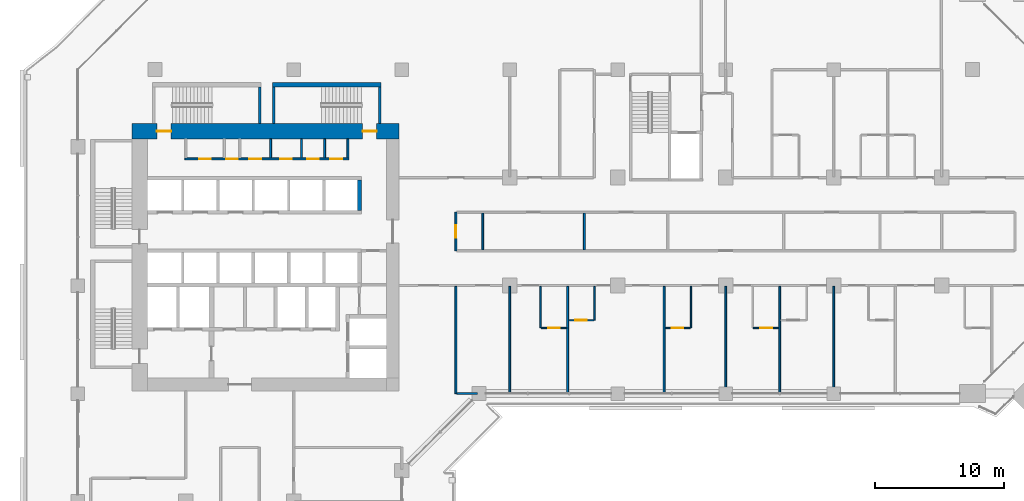
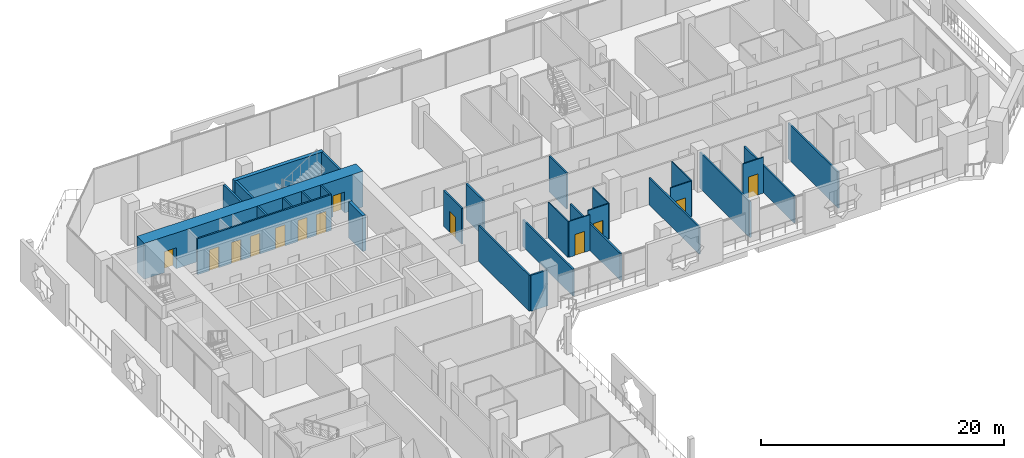
# One storey, part 16 of 25: 29 walls, 13 doors, 13 openings.
"""IFC4 building model written with IfcOpenShell, lengths in metres."""

from ifc_helpers import new_model, si_unit, direction, frame, frame_2d, origin, place, context, subcontext, project, spatial, rectangle, extrude, material, layer, layer_set, type_object, element, fill, save


model = new_model("IFC4")

# Units and contexts
model_context = context("Model", 3, precision=1e-05, world=origin(), true_north=direction((0.0, 1.0)))
body_context = subcontext(model_context, "Body", "Model", "MODEL_VIEW")
ifc_project = project(units=[si_unit("LENGTHUNIT", "METRE"), si_unit("AREAUNIT", "SQUARE_METRE"), si_unit("VOLUMEUNIT", "CUBIC_METRE"), si_unit("PLANEANGLEUNIT", "RADIAN"), si_unit("MASSUNIT", "GRAM", prefix="KILO")], contexts=[model_context])

# Site, building, storey
site_placement = place(None, origin())
site = spatial("IfcSite", under=ifc_project, at=site_placement, CompositionType="ELEMENT")
building_placement = place(site_placement, origin())
building = spatial("IfcBuilding", under=site, at=building_placement, Name="Kawkab Arch Medical Tower", CompositionType="ELEMENT")
storey_placement = place(building_placement, frame((0.0, 0.0, 111.39990234375)))
storey = spatial("IfcBuildingStorey", under=building, at=storey_placement, Name="L25", CompositionType="ELEMENT", Elevation=111.39990234375)

# Wall, openings, doors
ifc_material_1 = material(Name="Concrete C60/75", Category="concrete")
ifc_layer_1 = layer(ifc_material_1, 1.199951171875)
ifc_layer_set_1 = layer_set([ifc_layer_1], Name="Concrete C60/75")
wall_type_1 = type_object("IfcWallType", Name="Core ring wall 1200 C60/75", PredefinedType="SHEAR", material=ifc_layer_set_1)
wall_1_placement = place(storey_placement, frame((4.199951171875, -4.800048828125, 0.0), z_axis=(0.0, 0.0, 1.0), x_axis=(1.0, 0.0, 0.0)))
wall_1 = element("IfcWall", 1, at=wall_1_placement, inside=storey, type_object=wall_type_1, Name="L25 core wall", PredefinedType="SHEAR", context=body_context, shape_type="SweptSolid", body=[
    extrude(rectangle(XDim=20.800048828125, YDim=1.199951171875, at=frame_2d((10.39990234375, 0.0))), origin(), (0.0, 0.0, 1.0), 3.60009765625),
])
opening_1_placement = place(wall_1_placement, frame((1.949951171875, 0.0, 0.0)))
opening_1 = element("IfcOpeningElement", 2, at=opening_1_placement, cuts=wall_1, Name="Opening SD", PredefinedType="OPENING", context=body_context, shape_type="SweptSolid", body=[
    extrude(rectangle(XDim=1.10009765625, YDim=2.10009765625, at=frame_2d((0.550048828125, 1.050048828125))), frame((0.0, 0.60986328125, 0.0), z_axis=(0.0, -1.0, 0.0), x_axis=(1.0, 0.0, 0.0)), (0.0, 0.0, 1.0), 1.219970703125),
])
opening_2_placement = place(wall_1_placement, frame((17.949951171875, 0.0, 0.0)))
opening_2 = element("IfcOpeningElement", 3, at=opening_2_placement, cuts=wall_1, Name="Opening SD", PredefinedType="OPENING", context=body_context, shape_type="SweptSolid", body=[
    extrude(rectangle(XDim=1.10009765625, YDim=2.10009765625, at=frame_2d((0.550048828125, 1.050048828125))), frame((0.0, 0.60986328125, 0.0), z_axis=(0.0, -1.0, 0.0), x_axis=(1.0, 0.0, 0.0)), (0.0, 0.0, 1.0), 1.219970703125),
])
ifc_material_2 = material(Name="Hollow metal fire door leaf")
door_type_1 = type_object("IfcDoorType", Name="Exit stair door 1100", OperationType="SINGLE_SWING_LEFT", PredefinedType="DOOR", material=ifc_material_2)
door_1_placement = place(opening_1_placement, origin())
door_1 = element("IfcDoor", 4, at=door_1_placement, inside=storey, type_object=door_type_1, Name="L25 Exit stair ST3 door", OperationType="SINGLE_SWING_LEFT", OverallHeight=2.10009765625, OverallWidth=1.10009765625, PredefinedType="DOOR", context=body_context, shape_type="SweptSolid", body=[
    extrude(rectangle(XDim=1.10009765625, YDim=2.10009765625, at=frame_2d((0.550048828125, 1.050048828125))), frame((0.0, 0.02490234375, 0.0), z_axis=(0.0, -1.0, 0.0), x_axis=(1.0, 0.0, 0.0)), (0.0, 0.0, 1.0), 0.050048828125),
])
fill(opening_1, door_1)
door_2_placement = place(opening_2_placement, origin())
door_2 = element("IfcDoor", 5, at=door_2_placement, inside=storey, type_object=door_type_1, Name="L25 Exit stair ST4 door", OperationType="SINGLE_SWING_LEFT", OverallHeight=2.10009765625, OverallWidth=1.10009765625, PredefinedType="DOOR", context=body_context, shape_type="SweptSolid", body=[
    extrude(rectangle(XDim=1.10009765625, YDim=2.10009765625, at=frame_2d((0.550048828125, 1.050048828125))), frame((0.0, 0.02490234375, 0.0), z_axis=(0.0, -1.0, 0.0), x_axis=(1.0, 0.0, 0.0)), (0.0, 0.0, 1.0), 0.050048828125),
])
fill(opening_2, door_2)

ifc_material_3 = material(Name="Gypsum board on steel studs", Category="steel")
ifc_layer_2 = layer(ifc_material_3, 0.14990234375)
ifc_layer_set_2 = layer_set([ifc_layer_2], Name="Gypsum board on steel studs")
wall_type_2 = type_object("IfcWallType", Name="Core room partition 150", PredefinedType="PARTITIONING", material=ifc_layer_set_2)
wall_2_placement = place(storey_placement, frame((8.324951171875, -6.949951171875, 0.0), z_axis=(0.0, 0.0, 1.0), x_axis=(1.0, 0.0, 0.0)))
wall_2 = element("IfcWall", 6, at=wall_2_placement, inside=storey, type_object=wall_type_2, Name="L25 core room partition", PredefinedType="PARTITIONING", context=body_context, shape_type="SweptSolid", body=[
    extrude(rectangle(XDim=12.75, YDim=0.14990234375, at=frame_2d((6.375, 0.0))), origin(), (0.0, 0.0, 1.0), 3.60009765625),
])
opening_3_placement = place(wall_2_placement, frame((1.125, 0.0, 0.0)))
opening_3 = element("IfcOpeningElement", 7, at=opening_3_placement, cuts=wall_2, Name="Opening RD", PredefinedType="OPENING", context=body_context, shape_type="SweptSolid", body=[
    extrude(rectangle(XDim=0.89990234375, YDim=2.10009765625, at=frame_2d((0.449951171875, 1.050048828125))), frame((0.0, 0.0849609375, 0.0), z_axis=(0.0, -1.0, 0.0), x_axis=(1.0, 0.0, 0.0)), (0.0, 0.0, 1.0), 0.169921875),
])
opening_4_placement = place(wall_2_placement, frame((3.22509765625, 0.0, 0.0)))
opening_4 = element("IfcOpeningElement", 8, at=opening_4_placement, cuts=wall_2, Name="Opening RD", PredefinedType="OPENING", context=body_context, shape_type="SweptSolid", body=[
    extrude(rectangle(XDim=0.89990234375, YDim=2.10009765625, at=frame_2d((0.449951171875, 1.050048828125))), frame((0.0, 0.0849609375, 0.0), z_axis=(0.0, -1.0, 0.0), x_axis=(1.0, 0.0, 0.0)), (0.0, 0.0, 1.0), 0.169921875),
])
opening_5_placement = place(wall_2_placement, frame((5.02490234375, 0.0, 0.0)))
opening_5 = element("IfcOpeningElement", 9, at=opening_5_placement, cuts=wall_2, Name="Opening RD", PredefinedType="OPENING", context=body_context, shape_type="SweptSolid", body=[
    extrude(rectangle(XDim=0.89990234375, YDim=2.10009765625, at=frame_2d((0.449951171875, 1.050048828125))), frame((0.0, 0.0849609375, 0.0), z_axis=(0.0, -1.0, 0.0), x_axis=(1.0, 0.0, 0.0)), (0.0, 0.0, 1.0), 0.169921875),
])
opening_6_placement = place(wall_2_placement, frame((7.425048828125, 0.0, 0.0)))
opening_6 = element("IfcOpeningElement", 10, at=opening_6_placement, cuts=wall_2, Name="Opening RD", PredefinedType="OPENING", context=body_context, shape_type="SweptSolid", body=[
    extrude(rectangle(XDim=0.89990234375, YDim=2.10009765625, at=frame_2d((0.449951171875, 1.050048828125))), frame((0.0, 0.0849609375, 0.0), z_axis=(0.0, -1.0, 0.0), x_axis=(1.0, 0.0, 0.0)), (0.0, 0.0, 1.0), 0.169921875),
])
opening_7_placement = place(wall_2_placement, frame((9.52490234375, 0.0, 0.0)))
opening_7 = element("IfcOpeningElement", 11, at=opening_7_placement, cuts=wall_2, Name="Opening RD", PredefinedType="OPENING", context=body_context, shape_type="SweptSolid", body=[
    extrude(rectangle(XDim=0.89990234375, YDim=2.10009765625, at=frame_2d((0.449951171875, 1.050048828125))), frame((0.0, 0.0849609375, 0.0), z_axis=(0.0, -1.0, 0.0), x_axis=(1.0, 0.0, 0.0)), (0.0, 0.0, 1.0), 0.169921875),
])
opening_8_placement = place(wall_2_placement, frame((11.324951171875, 0.0, 0.0)))
opening_8 = element("IfcOpeningElement", 12, at=opening_8_placement, cuts=wall_2, Name="Opening RD", PredefinedType="OPENING", context=body_context, shape_type="SweptSolid", body=[
    extrude(rectangle(XDim=0.89990234375, YDim=2.10009765625, at=frame_2d((0.449951171875, 1.050048828125))), frame((0.0, 0.0849609375, 0.0), z_axis=(0.0, -1.0, 0.0), x_axis=(1.0, 0.0, 0.0)), (0.0, 0.0, 1.0), 0.169921875),
])
ifc_material_4 = material(Name="Hollow metal fire door leaf")
door_type_2 = type_object("IfcDoorType", Name="Core room door 900", OperationType="SINGLE_SWING_LEFT", PredefinedType="DOOR", material=ifc_material_4)
door_3_placement = place(opening_3_placement, origin())
door_3 = element("IfcDoor", 13, at=door_3_placement, inside=storey, type_object=door_type_2, Name="L25 General store door", OperationType="SINGLE_SWING_LEFT", OverallHeight=2.10009765625, OverallWidth=0.89990234375, PredefinedType="DOOR", context=body_context, shape_type="SweptSolid", body=[
    extrude(rectangle(XDim=0.89990234375, YDim=2.10009765625, at=frame_2d((0.449951171875, 1.050048828125))), frame((0.0, 0.02490234375, 0.0), z_axis=(0.0, -1.0, 0.0), x_axis=(1.0, 0.0, 0.0)), (0.0, 0.0, 1.0), 0.050048828125),
])
fill(opening_3, door_3)
door_4_placement = place(opening_4_placement, origin())
door_4 = element("IfcDoor", 14, at=door_4_placement, inside=storey, type_object=door_type_2, Name="L25 Electrical riser room door", OperationType="SINGLE_SWING_LEFT", OverallHeight=2.10009765625, OverallWidth=0.89990234375, PredefinedType="DOOR", context=body_context, shape_type="SweptSolid", body=[
    extrude(rectangle(XDim=0.89990234375, YDim=2.10009765625, at=frame_2d((0.449951171875, 1.050048828125))), frame((0.0, 0.02490234375, 0.0), z_axis=(0.0, -1.0, 0.0), x_axis=(1.0, 0.0, 0.0)), (0.0, 0.0, 1.0), 0.050048828125),
])
fill(opening_4, door_4)
door_5_placement = place(opening_5_placement, origin())
door_5 = element("IfcDoor", 15, at=door_5_placement, inside=storey, type_object=door_type_2, Name="L25 Housekeeping store door", OperationType="SINGLE_SWING_LEFT", OverallHeight=2.10009765625, OverallWidth=0.89990234375, PredefinedType="DOOR", context=body_context, shape_type="SweptSolid", body=[
    extrude(rectangle(XDim=0.89990234375, YDim=2.10009765625, at=frame_2d((0.449951171875, 1.050048828125))), frame((0.0, 0.02490234375, 0.0), z_axis=(0.0, -1.0, 0.0), x_axis=(1.0, 0.0, 0.0)), (0.0, 0.0, 1.0), 0.050048828125),
])
fill(opening_5, door_5)
door_6_placement = place(opening_6_placement, origin())
door_6 = element("IfcDoor", 16, at=door_6_placement, inside=storey, type_object=door_type_2, Name="L25 UPS room door", OperationType="SINGLE_SWING_LEFT", OverallHeight=2.10009765625, OverallWidth=0.89990234375, PredefinedType="DOOR", context=body_context, shape_type="SweptSolid", body=[
    extrude(rectangle(XDim=0.89990234375, YDim=2.10009765625, at=frame_2d((0.449951171875, 1.050048828125))), frame((0.0, 0.02490234375, 0.0), z_axis=(0.0, -1.0, 0.0), x_axis=(1.0, 0.0, 0.0)), (0.0, 0.0, 1.0), 0.050048828125),
])
fill(opening_6, door_6)
door_7_placement = place(opening_7_placement, origin())
door_7 = element("IfcDoor", 17, at=door_7_placement, inside=storey, type_object=door_type_2, Name="L25 Comms room door", OperationType="SINGLE_SWING_LEFT", OverallHeight=2.10009765625, OverallWidth=0.89990234375, PredefinedType="DOOR", context=body_context, shape_type="SweptSolid", body=[
    extrude(rectangle(XDim=0.89990234375, YDim=2.10009765625, at=frame_2d((0.449951171875, 1.050048828125))), frame((0.0, 0.02490234375, 0.0), z_axis=(0.0, -1.0, 0.0), x_axis=(1.0, 0.0, 0.0)), (0.0, 0.0, 1.0), 0.050048828125),
])
fill(opening_7, door_7)
door_8_placement = place(opening_8_placement, origin())
door_8 = element("IfcDoor", 18, at=door_8_placement, inside=storey, type_object=door_type_2, Name="L25 Electrical riser room door", OperationType="SINGLE_SWING_LEFT", OverallHeight=2.10009765625, OverallWidth=0.89990234375, PredefinedType="DOOR", context=body_context, shape_type="SweptSolid", body=[
    extrude(rectangle(XDim=0.89990234375, YDim=2.10009765625, at=frame_2d((0.449951171875, 1.050048828125))), frame((0.0, 0.02490234375, 0.0), z_axis=(0.0, -1.0, 0.0), x_axis=(1.0, 0.0, 0.0)), (0.0, 0.0, 1.0), 0.050048828125),
])
fill(opening_8, door_8)

# Walls
for number, where, z_axis, x_axis, name in (
    (19, (15.0, -6.875, 0.0), (0.0, 0.0, 1.0), (0.0, 1.0, 0.0), "L25 core room partition"),
    (20, (17.39990234375, -6.875, 0.0), (0.0, 0.0, 1.0), (0.0, 1.0, 0.0), "L25 core room partition"),
    (21, (19.199951171875, -6.875, 0.0), (0.0, 0.0, 1.0), (0.0, 1.0, 0.0), "L25 core room partition"),
    (22, (21.0, -6.875, 0.0), (0.0, 0.0, 1.0), (0.0, 1.0, 0.0), "L25 core room partition"),
):
    element("IfcWall", number, at=place(storey_placement, frame(where, z_axis=z_axis, x_axis=x_axis)), inside=storey, type_object=wall_type_2, Name=name, PredefinedType="PARTITIONING", context=body_context, shape_type="SweptSolid", body=[
        extrude(rectangle(XDim=1.47509765625, YDim=0.14990234375, at=frame_2d((0.737548828125, 0.0))), origin(), (0.0, 0.0, 1.0), 3.60009765625),
    ])
ifc_material_5 = material(Name="Concrete C60/75", Category="concrete")
ifc_layer_3 = layer(ifc_material_5, 0.300048828125)
ifc_layer_set_3 = layer_set([ifc_layer_3], Name="Concrete C60/75")
wall_type_3 = type_object("IfcWallType", Name="Core shear wall 300 C60/75", PredefinedType="SHEAR", material=ifc_layer_set_3)
wall_3_placement = place(storey_placement, frame((21.89990234375, -10.949951171875, 0.0), z_axis=(0.0, 0.0, 1.0), x_axis=(0.0, 1.0, 0.0)))
element("IfcWall", 23, at=wall_3_placement, inside=storey, type_object=wall_type_3, Name="L25 core shear wall", PredefinedType="SHEAR", context=body_context, shape_type="SweptSolid", body=[
    extrude(rectangle(XDim=2.349853515625, YDim=0.300048828125, at=frame_2d((1.1748046875, 0.0))), origin(), (0.0, 0.0, 1.0), 3.60009765625),
])

# Wall, opening, door
ifc_material_6 = material(Name="Gypsum board partition on steel studs", Category="steel")
ifc_layer_4 = layer(ifc_material_6, 0.10009765625)
ifc_layer_set_4 = layer_set([ifc_layer_4], Name="Gypsum board partition on steel studs")
wall_type_4 = type_object("IfcWallType", Name="Partition 100", PredefinedType="PARTITIONING", material=ifc_layer_set_4)
wall_4_placement = place(storey_placement, frame((36.050048828125, -20.10009765625, 0.0), z_axis=(0.0, 0.0, 1.0), x_axis=(1.0, 0.0, 0.0)))
wall_4 = element("IfcWall", 24, at=wall_4_placement, inside=storey, type_object=wall_type_4, Name="Partition 100 w006", PredefinedType="PARTITIONING", context=body_context, shape_type="SweptSolid", body=[
    extrude(rectangle(XDim=1.974853515625, YDim=0.10009765625, at=frame_2d((0.9873046875, 0.0))), origin(), (0.0, 0.0, 1.0), 3.60009765625),
])
opening_9_placement = place(wall_4_placement, frame((0.550048828125, 0.0, 0.0)))
opening_9 = element("IfcOpeningElement", 25, at=opening_9_placement, cuts=wall_4, Name="Opening W25-009", PredefinedType="OPENING", context=body_context, shape_type="SweptSolid", body=[
    extrude(rectangle(XDim=0.89990234375, YDim=2.10009765625, at=frame_2d((0.449951171875, 1.050048828125))), frame((0.0, 0.06005859375, 0.0), z_axis=(0.0, -1.0, 0.0), x_axis=(1.0, 0.0, 0.0)), (0.0, 0.0, 1.0), 0.1201171875),
])
ifc_material_7 = material(Name="Timber door leaf", Category="wood")
door_type_3 = type_object("IfcDoorType", Name="Single door 900x2100", OperationType="NOTDEFINED", PredefinedType="DOOR", material=ifc_material_7)
door_9_placement = place(opening_9_placement, origin())
door_9 = element("IfcDoor", 26, at=door_9_placement, inside=storey, type_object=door_type_3, Name="Door W25-009", OperationType="SINGLE_SWING_LEFT", OverallHeight=2.10009765625, OverallWidth=0.89990234375, PredefinedType="DOOR", context=body_context, shape_type="SweptSolid", body=[
    extrude(rectangle(XDim=0.89990234375, YDim=2.10009765625, at=frame_2d((0.449951171875, 1.050048828125))), frame((0.0, 0.02490234375, 0.0), z_axis=(0.0, -1.0, 0.0), x_axis=(1.0, 0.0, 0.0)), (0.0, 0.0, 1.0), 0.050048828125),
])
fill(opening_9, door_9)

wall_5_placement = place(storey_placement, frame((45.675048828125, -20.10009765625, 0.0), z_axis=(0.0, 0.0, 1.0), x_axis=(1.0, 0.0, 0.0)))
wall_5 = element("IfcWall", 27, at=wall_5_placement, inside=storey, type_object=wall_type_4, Name="Partition 100 w007", PredefinedType="PARTITIONING", context=body_context, shape_type="SweptSolid", body=[
    extrude(rectangle(XDim=1.974853515625, YDim=0.10009765625, at=frame_2d((0.9873046875, 0.0))), origin(), (0.0, 0.0, 1.0), 3.60009765625),
])
opening_10_placement = place(wall_5_placement, frame((0.52490234375, 0.0, 0.0)))
opening_10 = element("IfcOpeningElement", 28, at=opening_10_placement, cuts=wall_5, Name="Opening W25-011", PredefinedType="OPENING", context=body_context, shape_type="SweptSolid", body=[
    extrude(rectangle(XDim=0.89990234375, YDim=2.10009765625, at=frame_2d((0.449951171875, 1.050048828125))), frame((0.0, 0.06005859375, 0.0), z_axis=(0.0, -1.0, 0.0), x_axis=(1.0, 0.0, 0.0)), (0.0, 0.0, 1.0), 0.1201171875),
])
door_10_placement = place(opening_10_placement, origin())
door_10 = element("IfcDoor", 29, at=door_10_placement, inside=storey, type_object=door_type_3, Name="Door W25-011", OperationType="SINGLE_SWING_RIGHT", OverallHeight=2.10009765625, OverallWidth=0.89990234375, PredefinedType="DOOR", context=body_context, shape_type="SweptSolid", body=[
    extrude(rectangle(XDim=0.89990234375, YDim=2.10009765625, at=frame_2d((0.449951171875, 1.050048828125))), frame((0.0, 0.02490234375, 0.0), z_axis=(0.0, -1.0, 0.0), x_axis=(1.0, 0.0, 0.0)), (0.0, 0.0, 1.0), 0.050048828125),
])
fill(opening_10, door_10)

wall_6_placement = place(storey_placement, frame((52.550048828125, -20.10009765625, 0.0), z_axis=(0.0, 0.0, 1.0), x_axis=(1.0, 0.0, 0.0)))
wall_6 = element("IfcWall", 30, at=wall_6_placement, inside=storey, type_object=wall_type_4, Name="Partition 100 w008", PredefinedType="PARTITIONING", context=body_context, shape_type="SweptSolid", body=[
    extrude(rectangle(XDim=1.974853515625, YDim=0.10009765625, at=frame_2d((0.9873046875, 0.0))), origin(), (0.0, 0.0, 1.0), 3.60009765625),
])
opening_11_placement = place(wall_6_placement, frame((0.550048828125, 0.0, 0.0)))
opening_11 = element("IfcOpeningElement", 31, at=opening_11_placement, cuts=wall_6, Name="Opening W25-012", PredefinedType="OPENING", context=body_context, shape_type="SweptSolid", body=[
    extrude(rectangle(XDim=0.89990234375, YDim=2.10009765625, at=frame_2d((0.449951171875, 1.050048828125))), frame((0.0, 0.06005859375, 0.0), z_axis=(0.0, -1.0, 0.0), x_axis=(1.0, 0.0, 0.0)), (0.0, 0.0, 1.0), 0.1201171875),
])
door_11_placement = place(opening_11_placement, origin())
door_11 = element("IfcDoor", 32, at=door_11_placement, inside=storey, type_object=door_type_3, Name="Door W25-012", OperationType="SINGLE_SWING_RIGHT", OverallHeight=2.10009765625, OverallWidth=0.89990234375, PredefinedType="DOOR", context=body_context, shape_type="SweptSolid", body=[
    extrude(rectangle(XDim=0.89990234375, YDim=2.10009765625, at=frame_2d((0.449951171875, 1.050048828125))), frame((0.0, 0.02490234375, 0.0), z_axis=(0.0, -1.0, 0.0), x_axis=(1.0, 0.0, 0.0)), (0.0, 0.0, 1.0), 0.050048828125),
])
fill(opening_11, door_11)

wall_7_placement = place(storey_placement, frame((38.175048828125, -19.5, 0.0), z_axis=(0.0, 0.0, 1.0), x_axis=(1.0, 0.0, 0.0)))
wall_7 = element("IfcWall", 33, at=wall_7_placement, inside=storey, type_object=wall_type_4, Name="Partition 100 w010", PredefinedType="PARTITIONING", context=body_context, shape_type="SweptSolid", body=[
    extrude(rectangle(XDim=1.972900390625, YDim=0.10009765625, at=frame_2d((0.986328125, 0.0))), origin(), (0.0, 0.0, 1.0), 3.60009765625),
])
opening_12_placement = place(wall_7_placement, frame((0.52392578125, 0.0, 0.0)))
opening_12 = element("IfcOpeningElement", 34, at=opening_12_placement, cuts=wall_7, Name="Opening W25-010", PredefinedType="OPENING", context=body_context, shape_type="SweptSolid", body=[
    extrude(rectangle(XDim=0.89990234375, YDim=2.10009765625, at=frame_2d((0.449951171875, 1.050048828125))), frame((0.0, 0.06005859375, 0.0), z_axis=(0.0, -1.0, 0.0), x_axis=(1.0, 0.0, 0.0)), (0.0, 0.0, 1.0), 0.1201171875),
])
door_12_placement = place(opening_12_placement, origin())
door_12 = element("IfcDoor", 35, at=door_12_placement, inside=storey, type_object=door_type_3, Name="Door W25-010", OperationType="SINGLE_SWING_RIGHT", OverallHeight=2.10009765625, OverallWidth=0.89990234375, PredefinedType="DOOR", context=body_context, shape_type="SweptSolid", body=[
    extrude(rectangle(XDim=0.89990234375, YDim=2.10009765625, at=frame_2d((0.449951171875, 1.050048828125))), frame((0.0, 0.02490234375, 0.0), z_axis=(0.0, -1.0, 0.0), x_axis=(1.0, 0.0, 0.0)), (0.0, 0.0, 1.0), 0.050048828125),
])
fill(opening_12, door_12)

# Walls
wall_8_placement = place(storey_placement, frame((36.0, -20.10009765625, 0.0), z_axis=(0.0, 0.0, 1.0), x_axis=(0.0, 1.0, 0.0)))
element("IfcWall", 36, at=wall_8_placement, inside=storey, type_object=wall_type_4, Name="Partition 100 w018", PredefinedType="PARTITIONING", context=body_context, shape_type="SweptSolid", body=[
    extrude(rectangle(XDim=3.22509765625, YDim=0.10009765625, at=frame_2d((1.612548828125, 0.0))), origin(), (0.0, 0.0, 1.0), 3.60009765625),
])
wall_9_placement = place(storey_placement, frame((40.199951171875, -19.4990234375, 0.0), z_axis=(0.0, 0.0, 1.0), x_axis=(0.0, 1.0, 0.0)))
element("IfcWall", 37, at=wall_9_placement, inside=storey, type_object=wall_type_4, Name="Partition 100 w019", PredefinedType="PARTITIONING", context=body_context, shape_type="SweptSolid", body=[
    extrude(rectangle(XDim=2.6240234375, YDim=0.10009765625, at=frame_2d((1.31201171875, 0.0))), origin(), (0.0, 0.0, 1.0), 3.60009765625),
])
wall_10_placement = place(storey_placement, frame((47.699951171875, -20.10009765625, 0.0), z_axis=(0.0, 0.0, 1.0), x_axis=(0.0, 1.0, 0.0)))
element("IfcWall", 38, at=wall_10_placement, inside=storey, type_object=wall_type_4, Name="Partition 100 w020", PredefinedType="PARTITIONING", context=body_context, shape_type="SweptSolid", body=[
    extrude(rectangle(XDim=3.22509765625, YDim=0.10009765625, at=frame_2d((1.612548828125, 0.0))), origin(), (0.0, 0.0, 1.0), 3.60009765625),
])
ifc_material_8 = material(Name="Gypsum board partition on steel studs, mineral wool", Category="steel")
ifc_layer_5 = layer(ifc_material_8, 0.14990234375)
ifc_layer_set_5 = layer_set([ifc_layer_5], Name="Gypsum board partition on steel studs, mineral wool")
wall_type_5 = type_object("IfcWallType", Name="Partition 150", PredefinedType="PARTITIONING", material=ifc_layer_set_5)
wall_11_placement = place(storey_placement, frame((29.47509765625, -25.199951171875, 0.0), z_axis=(0.0, 0.0, 1.0), x_axis=(1.0, 0.0, 0.0)))
element("IfcWall", 39, at=wall_11_placement, inside=storey, type_object=wall_type_5, Name="Partition 150 w042", PredefinedType="PARTITIONING", context=body_context, shape_type="SweptSolid", body=[
    extrude(rectangle(XDim=1.61181640625, YDim=0.14990234375, at=frame_2d((0.805908203125, 0.0))), origin(), (0.0, 0.0, 1.0), 3.60009765625),
])
wall_12_placement = place(storey_placement, frame((29.39990234375, -25.199951171875, 0.0), z_axis=(0.0, 0.0, 1.0), x_axis=(0.0, 1.0, 0.0)))
element("IfcWall", 40, at=wall_12_placement, inside=storey, type_object=wall_type_5, Name="Partition 150 w062", PredefinedType="PARTITIONING", context=body_context, shape_type="SweptSolid", body=[
    extrude(rectangle(XDim=8.324951171875, YDim=0.14990234375, at=frame_2d((4.16259765625, 0.0))), origin(), (0.0, 0.0, 1.0), 3.60009765625),
])

# Wall, opening, door
wall_13_placement = place(storey_placement, frame((29.39990234375, -14.10009765625, 0.0), z_axis=(0.0, 0.0, 1.0), x_axis=(0.0, 1.0, 0.0)))
wall_13 = element("IfcWall", 41, at=wall_13_placement, inside=storey, type_object=wall_type_5, Name="Partition 150 w063", PredefinedType="PARTITIONING", context=body_context, shape_type="SweptSolid", body=[
    extrude(rectangle(XDim=3.0, YDim=0.14990234375, at=frame_2d((1.5, 0.0))), origin(), (0.0, 0.0, 1.0), 3.60009765625),
])
opening_13_placement = place(wall_13_placement, frame((1.0, 0.0, 0.0)))
opening_13 = element("IfcOpeningElement", 42, at=opening_13_placement, cuts=wall_13, Name="Opening W25-023", PredefinedType="OPENING", context=body_context, shape_type="SweptSolid", body=[
    extrude(rectangle(XDim=1.0, YDim=2.10009765625, at=frame_2d((0.5, 1.050048828125))), frame((0.0, 0.0849609375, 0.0), z_axis=(0.0, -1.0, 0.0), x_axis=(1.0, 0.0, 0.0)), (0.0, 0.0, 1.0), 0.169921875),
])
ifc_material_9 = material(Name="Timber door leaf", Category="wood")
door_type_4 = type_object("IfcDoorType", Name="Single door 1000x2100", OperationType="NOTDEFINED", PredefinedType="DOOR", material=ifc_material_9)
door_13_placement = place(opening_13_placement, origin())
door_13 = element("IfcDoor", 43, at=door_13_placement, inside=storey, type_object=door_type_4, Name="Door W25-023", OperationType="SINGLE_SWING_RIGHT", OverallHeight=2.10009765625, OverallWidth=1.0, PredefinedType="DOOR", context=body_context, shape_type="SweptSolid", body=[
    extrude(rectangle(XDim=1.0, YDim=2.10009765625, at=frame_2d((0.5, 1.050048828125))), frame((0.0, 0.02490234375, 0.0), z_axis=(0.0, -1.0, 0.0), x_axis=(1.0, 0.0, 0.0)), (0.0, 0.0, 1.0), 0.050048828125),
])
fill(opening_13, door_13)

# Walls
wall_14_placement = place(storey_placement, frame((31.5, -14.02490234375, 0.0), z_axis=(0.0, 0.0, 1.0), x_axis=(0.0, 1.0, 0.0)))
element("IfcWall", 44, at=wall_14_placement, inside=storey, type_object=wall_type_5, Name="Partition 150 w064", PredefinedType="PARTITIONING", context=body_context, shape_type="SweptSolid", body=[
    extrude(rectangle(XDim=2.849853515625, YDim=0.14990234375, at=frame_2d((1.4248046875, 0.0))), origin(), (0.0, 0.0, 1.0), 3.60009765625),
])
for number, where, z_axis, x_axis, name in (
    (45, (33.60009765625, -25.1201171875, 0.0), (0.0, 0.0, 1.0), (0.0, 1.0, 0.0), "Partition 150 w065"),
    (46, (38.10009765625, -25.1201171875, 0.0), (0.0, 0.0, 1.0), (0.0, 1.0, 0.0), "Partition 150 w068"),
):
    element("IfcWall", number, at=place(storey_placement, frame(where, z_axis=z_axis, x_axis=x_axis)), inside=storey, type_object=wall_type_5, Name=name, PredefinedType="PARTITIONING", context=body_context, shape_type="SweptSolid", body=[
        extrude(rectangle(XDim=8.2451171875, YDim=0.14990234375, at=frame_2d((4.12255859375, 0.0))), origin(), (0.0, 0.0, 1.0), 2.7001953125),
    ])
wall_15_placement = place(storey_placement, frame((39.39990234375, -14.02490234375, 0.0), z_axis=(0.0, 0.0, 1.0), x_axis=(0.0, 1.0, 0.0)))
element("IfcWall", 47, at=wall_15_placement, inside=storey, type_object=wall_type_5, Name="Partition 150 w069", PredefinedType="PARTITIONING", context=body_context, shape_type="SweptSolid", body=[
    extrude(rectangle(XDim=2.849853515625, YDim=0.14990234375, at=frame_2d((1.4248046875, 0.0))), origin(), (0.0, 0.0, 1.0), 3.60009765625),
])
wall_16_placement = place(storey_placement, frame((45.60009765625, -25.1201171875, 0.0), z_axis=(0.0, 0.0, 1.0), x_axis=(0.0, 1.0, 0.0)))
element("IfcWall", 48, at=wall_16_placement, inside=storey, type_object=wall_type_5, Name="Partition 150 w072", PredefinedType="PARTITIONING", context=body_context, shape_type="SweptSolid", body=[
    extrude(rectangle(XDim=8.2451171875, YDim=0.14990234375, at=frame_2d((4.12255859375, 0.0))), origin(), (0.0, 0.0, 1.0), 2.7001953125),
])
wall_17_placement = place(storey_placement, frame((50.39990234375, -25.1201171875, 0.0), z_axis=(0.0, 0.0, 1.0), x_axis=(0.0, 1.0, 0.0)))
element("IfcWall", 49, at=wall_17_placement, inside=storey, type_object=wall_type_5, Name="Partition 150 w076", PredefinedType="PARTITIONING", context=body_context, shape_type="SweptSolid", body=[
    extrude(rectangle(XDim=8.2451171875, YDim=0.14990234375, at=frame_2d((4.12255859375, 0.0))), origin(), (0.0, 0.0, 1.0), 3.60009765625),
])
wall_18_placement = place(storey_placement, frame((54.60009765625, -25.1201171875, 0.0), z_axis=(0.0, 0.0, 1.0), x_axis=(0.0, 1.0, 0.0)))
element("IfcWall", 50, at=wall_18_placement, inside=storey, type_object=wall_type_5, Name="Partition 150 w080", PredefinedType="PARTITIONING", context=body_context, shape_type="SweptSolid", body=[
    extrude(rectangle(XDim=8.2451171875, YDim=0.14990234375, at=frame_2d((4.12255859375, 0.0))), origin(), (0.0, 0.0, 1.0), 2.7001953125),
])
wall_19_placement = place(storey_placement, frame((58.800048828125, -25.1201171875, 0.0), z_axis=(0.0, 0.0, 1.0), x_axis=(0.0, 1.0, 0.0)))
element("IfcWall", 51, at=wall_19_placement, inside=storey, type_object=wall_type_5, Name="Partition 150 w082", PredefinedType="PARTITIONING", context=body_context, shape_type="SweptSolid", body=[
    extrude(rectangle(XDim=8.2451171875, YDim=0.14990234375, at=frame_2d((4.12255859375, 0.0))), origin(), (0.0, 0.0, 1.0), 3.60009765625),
])
ifc_material_10 = material(Name="Concrete C50/60", Category="concrete")
ifc_layer_6 = layer(ifc_material_10, 0.199951171875)
ifc_layer_set_6 = layer_set([ifc_layer_6], Name="Concrete C50/60")
wall_type_6 = type_object("IfcWallType", Name="Stair enclosure wall 200 C50/60", PredefinedType="SHEAR", material=ifc_layer_set_6)
for number, where, z_axis, x_axis, name in (
    (52, (14.14990234375, -4.199951171875, 0.0), (0.0, 0.0, 1.0), (0.0, 1.0, 0.0), "L25 stair enclosure wall"),
    (53, (15.25, -4.199951171875, 0.0), (0.0, 0.0, 1.0), (0.0, 1.0, 0.0), "L25 stair enclosure wall"),
    (54, (23.5, -4.199951171875, 0.0), (0.0, 0.0, 1.0), (0.0, 1.0, 0.0), "L25 stair enclosure wall"),
):
    element("IfcWall", number, at=place(storey_placement, frame(where, z_axis=z_axis, x_axis=x_axis)), inside=storey, type_object=wall_type_6, Name=name, PredefinedType="SHEAR", context=body_context, shape_type="SweptSolid", body=[
        extrude(rectangle(XDim=2.849853515625, YDim=0.199951171875, at=frame_2d((1.4248046875, 0.0))), origin(), (0.0, 0.0, 1.0), 3.60009765625),
    ])
ifc_material_11 = material(Name="Concrete C50/60", Category="concrete")
ifc_layer_7 = layer(ifc_material_11, 0.35009765625)
ifc_layer_set_7 = layer_set([ifc_layer_7], Name="Concrete C50/60")
wall_type_7 = type_object("IfcWallType", Name="Stair enclosure wall 350 C50/60", PredefinedType="SHEAR", material=ifc_layer_set_7)
wall_20_placement = place(storey_placement, frame((15.14990234375, -1.175048828125, 0.0), z_axis=(0.0, 0.0, 1.0), x_axis=(1.0, 0.0, 0.0)))
element("IfcWall", 55, at=wall_20_placement, inside=storey, type_object=wall_type_7, Name="L25 stair enclosure wall", PredefinedType="SHEAR", context=body_context, shape_type="SweptSolid", body=[
    extrude(rectangle(XDim=8.4501953125, YDim=0.35009765625, at=frame_2d((4.22509765625, 0.0))), origin(), (0.0, 0.0, 1.0), 3.60009765625),
])

save(model, "model.ifc")
